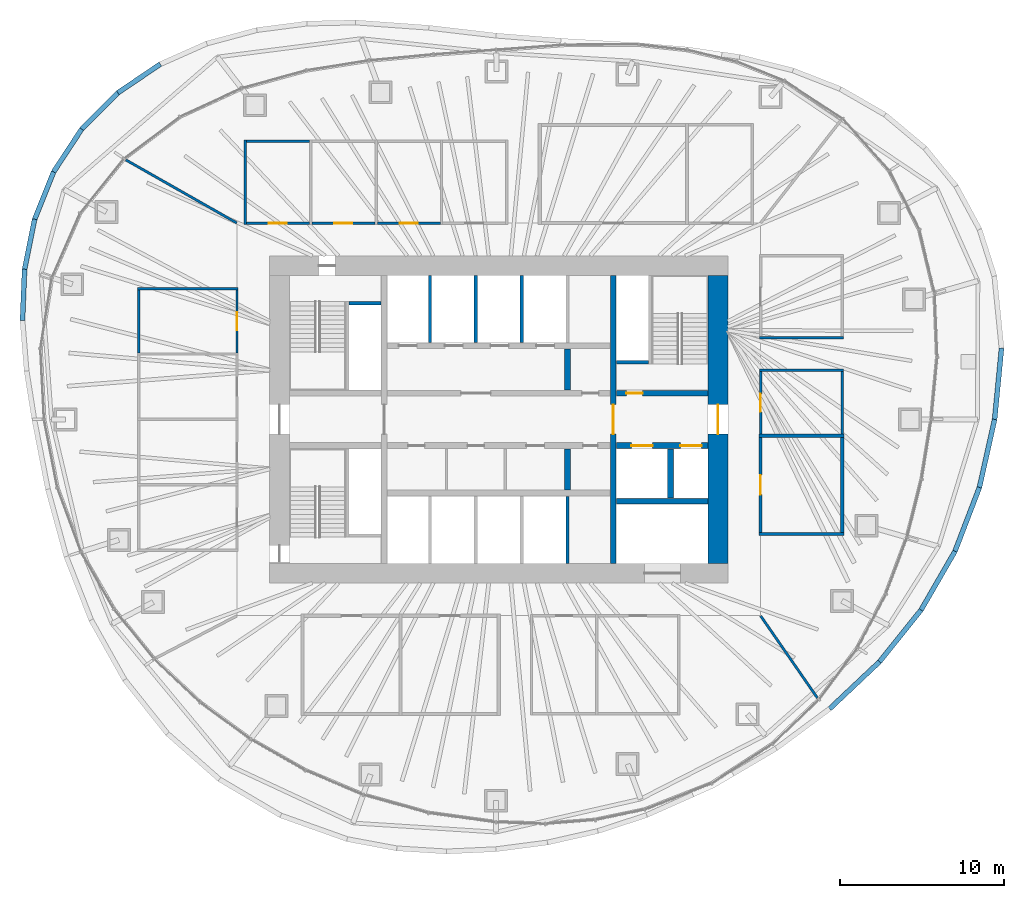
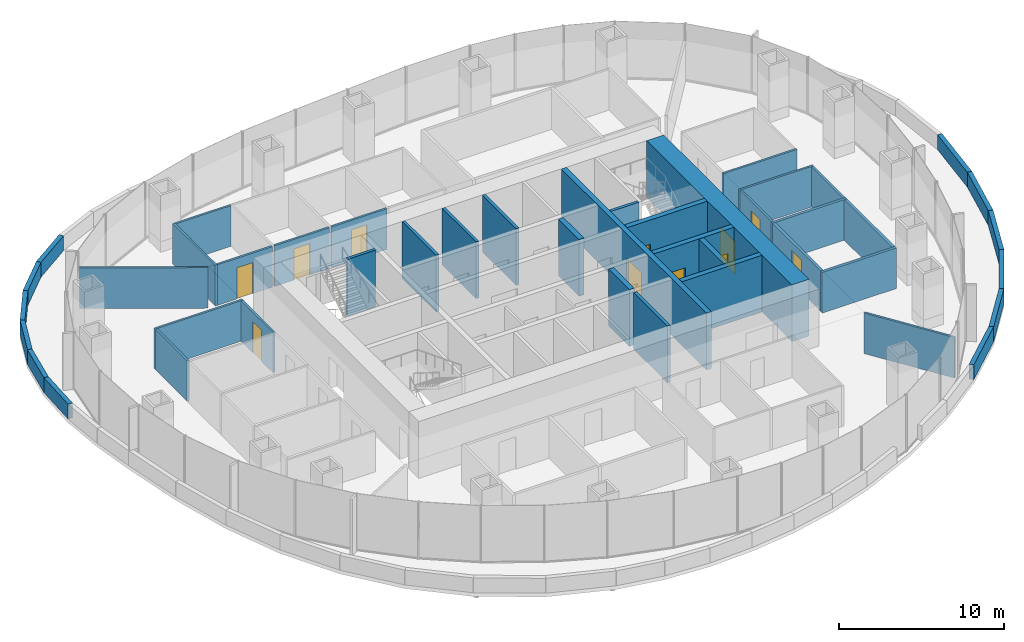
# One storey, part 10 of 12: 44 walls, 11 doors, 11 openings.
"""IFC4 building model written with IfcOpenShell, lengths in metres."""

from ifc_helpers import new_model, si_unit, direction, frame, frame_2d, origin, place, context, subcontext, project, spatial, rectangle, extrude, material, layer, layer_set, type_object, element, fill, save


model = new_model("IFC4")

# Units and contexts
model_context = context("Model", 3, precision=1e-05, world=origin(), true_north=direction((0.0, 1.0)))
body_context = subcontext(model_context, "Body", "Model", "MODEL_VIEW")
ifc_project = project(units=[si_unit("LENGTHUNIT", "METRE"), si_unit("AREAUNIT", "SQUARE_METRE"), si_unit("VOLUMEUNIT", "CUBIC_METRE"), si_unit("PLANEANGLEUNIT", "RADIAN"), si_unit("MASSUNIT", "GRAM", prefix="KILO")], contexts=[model_context])

# Site, building, storey
site_placement = place(None, origin())
site = spatial("IfcSite", under=ifc_project, at=site_placement, CompositionType="ELEMENT")
building_placement = place(site_placement, origin())
building = spatial("IfcBuilding", under=site, at=building_placement, Name="Ghaith Harvest Tower", CompositionType="ELEMENT")
storey_placement = place(building_placement, frame((0.0, 0.0, 194.800048828125)))
storey = spatial("IfcBuildingStorey", under=building, at=storey_placement, Name="L42", CompositionType="ELEMENT", Elevation=194.800048828125)

# Walls
ifc_material_1 = material(Name="Twin-stud gypsum board, acoustic", Category="gypsum")
ifc_layer_1 = layer(ifc_material_1, 0.199951171875)
ifc_layer_set_1 = layer_set([ifc_layer_1], Name="ACOUSTIC PARTITION 200")
wall_type_1 = type_object("IfcWallType", Name="ACOUSTIC PARTITION 200", PredefinedType="PARTITIONING", material=ifc_layer_set_1)
for number, where, z_axis, x_axis, name in (
    (1, (15.89990234375, -7.0, 0.0), (0.0, 0.0, 1.0), (1.0, 0.0, 0.0), "Partition L42 row E5 cross wall 1"),
    (2, (15.89990234375, -1.0, 0.0), (0.0, 0.0, 1.0), (1.0, 0.0, 0.0), "Partition L42 row E5 cross wall 2"),
):
    element("IfcWall", number, at=place(storey_placement, frame(where, z_axis=z_axis, x_axis=x_axis)), inside=storey, type_object=wall_type_1, Name=name, PredefinedType="PARTITIONING", context=body_context, shape_type="SweptSolid", body=[
        extrude(rectangle(XDim=5.2001953125, YDim=0.199951171875, at=frame_2d((2.60009765625, 0.0))), origin(), (0.0, 0.0, 1.0), 3.0),
    ])

# Wall, opening, door
wall_1_placement = place(storey_placement, frame((16.0, -6.89990234375, 0.0), z_axis=(0.0, 0.0, 1.0), x_axis=(0.0, 1.0, 0.0)))
wall_1 = element("IfcWall", 3, at=wall_1_placement, inside=storey, type_object=wall_type_1, Name="Partition L42-11", PredefinedType="PARTITIONING", context=body_context, shape_type="SweptSolid", body=[
    extrude(rectangle(XDim=5.7998046875, YDim=0.199951171875, at=frame_2d((2.89990234375, 0.0))), origin(), (0.0, 0.0, 1.0), 3.0),
])
opening_1_placement = place(wall_1_placement, frame((2.300048828125, 0.0, 0.0)))
opening_1 = element("IfcOpeningElement", 4, at=opening_1_placement, cuts=wall_1, Name="Opening 42-031", PredefinedType="OPENING", context=body_context, shape_type="SweptSolid", body=[
    extrude(rectangle(XDim=1.199951171875, YDim=2.39990234375, at=frame_2d((0.60009765625, 1.199951171875))), frame((0.0, 0.10986328125, 0.0), z_axis=(0.0, -1.0, 0.0), x_axis=(1.0, 0.0, 0.0)), (0.0, 0.0, 1.0), 0.219970703125),
])
ifc_material_2 = material(Name="Timber door", Category="wood")
door_type_1 = type_object("IfcDoorType", Name="D11 GLAZED 1200x2400", OperationType="SINGLE_SWING_LEFT", PredefinedType="DOOR", material=ifc_material_2)
door_1_placement = place(opening_1_placement, origin())
door_1 = element("IfcDoor", 5, at=door_1_placement, inside=storey, type_object=door_type_1, Name="Meeting room door", OperationType="SINGLE_SWING_LEFT", OverallHeight=2.39990234375, OverallWidth=1.199951171875, PredefinedType="DOOR", context=body_context, shape_type="SweptSolid", body=[
    extrude(rectangle(XDim=1.199951171875, YDim=2.39990234375, at=frame_2d((0.60009765625, 1.199951171875))), frame((0.0, 0.02490234375, 0.0), z_axis=(0.0, -1.0, 0.0), x_axis=(1.0, 0.0, 0.0)), (0.0, 0.0, 1.0), 0.050048828125),
])
fill(opening_1, door_1)

# Wall
wall_2_placement = place(storey_placement, frame((21.0, -6.89990234375, 0.0), z_axis=(0.0, 0.0, 1.0), x_axis=(0.0, 1.0, 0.0)))
element("IfcWall", 6, at=wall_2_placement, inside=storey, type_object=wall_type_1, Name="Partition L42-11", PredefinedType="PARTITIONING", context=body_context, shape_type="SweptSolid", body=[
    extrude(rectangle(XDim=5.7998046875, YDim=0.199951171875, at=frame_2d((2.89990234375, 0.0))), origin(), (0.0, 0.0, 1.0), 3.0),
])

# Wall, opening, door
ifc_material_3 = material(Name="Concrete C60/75", Category="concrete")
ifc_layer_2 = layer(ifc_material_3, 1.199951171875)
ifc_layer_set_2 = layer_set([ifc_layer_2], Name="CORE WALL CW1200 C60")
wall_type_2 = type_object("IfcWallType", Name="CORE WALL CW1200 C60", PredefinedType="SHEAR", material=ifc_layer_set_2)
wall_3_placement = place(storey_placement, frame((13.39990234375, -8.800048828125, 0.0), z_axis=(0.0, 0.0, 1.0), x_axis=(0.0, 1.0, 0.0)))
wall_3 = element("IfcWall", 7, at=wall_3_placement, inside=storey, type_object=wall_type_2, Name="Core wall E L42", PredefinedType="SHEAR", context=body_context, shape_type="SweptSolid", body=[
    extrude(rectangle(XDim=17.60009765625, YDim=1.199951171875, at=frame_2d((8.800048828125, 0.0))), origin(), (0.0, 0.0, 1.0), 4.199951171875),
])
opening_2_placement = place(wall_3_placement, frame((7.89990234375, 0.0, 0.0)))
opening_2 = element("IfcOpeningElement", 8, at=opening_2_placement, cuts=wall_3, Name="Opening 42-002", PredefinedType="OPENING", context=body_context, shape_type="SweptSolid", body=[
    extrude(rectangle(XDim=1.800048828125, YDim=2.39990234375, at=frame_2d((0.89990234375, 1.199951171875))), frame((0.0, 0.60986328125, 0.0), z_axis=(0.0, -1.0, 0.0), x_axis=(1.0, 0.0, 0.0)), (0.0, 0.0, 1.0), 1.219970703125),
])
ifc_material_4 = material(Name="Steel fire door", Category="steel")
door_type_2 = type_object("IfcDoorType", Name="D4 FD90 PAIR 1800x2400", OperationType="DOUBLE_DOOR_SINGLE_SWING", PredefinedType="DOOR", material=ifc_material_4)
door_2_placement = place(opening_2_placement, origin())
door_2 = element("IfcDoor", 9, at=door_2_placement, inside=storey, type_object=door_type_2, Name="Fire-fighting lobby doors", OperationType="DOUBLE_DOOR_SINGLE_SWING", OverallHeight=2.39990234375, OverallWidth=1.800048828125, PredefinedType="DOOR", context=body_context, shape_type="SweptSolid", body=[
    extrude(rectangle(XDim=1.800048828125, YDim=2.39990234375, at=frame_2d((0.89990234375, 1.199951171875))), frame((0.0, 0.02490234375, 0.0), z_axis=(0.0, -1.0, 0.0), x_axis=(1.0, 0.0, 0.0)), (0.0, 0.0, 1.0), 0.050048828125),
])
fill(opening_2, door_2)

# Walls
ifc_material_5 = material(Name="Concrete blockwork, 2-hour", Category="masonry")
ifc_layer_3 = layer(ifc_material_5, 0.199951171875)
ifc_layer_set_3 = layer_set([ifc_layer_3], Name="LIFT SHAFT WALL 200")
wall_type_3 = type_object("IfcWallType", Name="LIFT SHAFT WALL 200", PredefinedType="PARTITIONING", material=ifc_layer_set_3)
for number, where, z_axis, x_axis, name in (
    (10, (-4.199951171875, 4.699951171875, 0.0), (0.0, 0.0, 1.0), (0.0, 1.0, 0.0), "Lift shaft wall L42"),
    (11, (-1.39990234375, 4.699951171875, 0.0), (0.0, 0.0, 1.0), (0.0, 1.0, 0.0), "Lift shaft wall L42"),
    (12, (1.39990234375, 4.699951171875, 0.0), (0.0, 0.0, 1.0), (0.0, 1.0, 0.0), "Lift shaft wall L42"),
    (13, (4.199951171875, -4.699951171875, 0.0), (0.0, 0.0, 1.0), (0.0, -1.0, 0.0), "Lift shaft wall L42"),
):
    element("IfcWall", number, at=place(storey_placement, frame(where, z_axis=z_axis, x_axis=x_axis)), inside=storey, type_object=wall_type_3, Name=name, PredefinedType="PARTITIONING", context=body_context, shape_type="SweptSolid", body=[
        extrude(rectangle(XDim=4.10009765625, YDim=0.199951171875, at=frame_2d((2.050048828125, 0.0))), origin(), (0.0, 0.0, 1.0), 4.199951171875),
    ])
ifc_material_6 = material(Name="Concrete C40/50", Category="concrete")
ifc_layer_4 = layer(ifc_material_6, 0.300048828125)
ifc_layer_set_4 = layer_set([ifc_layer_4], Name="PARAPET 300")
wall_type_4 = type_object("IfcWallType", Name="PARAPET 300", PredefinedType="PARAPET", material=ifc_layer_set_4)
wall_4_placement = place(storey_placement, frame((30.308837890625, 0.0, 0.0), z_axis=(0.0, 0.0, 1.0), x_axis=(0.096650739281, 0.995318358414, 0.0)))
element("IfcWall", 14, at=wall_4_placement, inside=storey, type_object=wall_type_4, Name="Parapet 01.1 L42", PredefinedType="PARAPET", context=body_context, shape_type="SweptSolid", body=[
    extrude(rectangle(XDim=4.37255859375, YDim=0.300048828125, at=frame_2d((2.186279296875, 0.0))), origin(), (0.0, 0.0, 1.0), 1.099853515625),
])
wall_5_placement = place(storey_placement, frame((-20.689208984375, 21.71630859375, 0.0), z_axis=(0.0, 0.0, 1.0), x_axis=(-0.828713081968, -0.559673679723, 0.0)))
element("IfcWall", 15, at=wall_5_placement, inside=storey, type_object=wall_type_4, Name="Parapet 08.2 L42", PredefinedType="PARAPET", context=body_context, shape_type="SweptSolid", body=[
    extrude(rectangle(XDim=3.131591796875, YDim=0.300048828125, at=frame_2d((1.56591796875, 0.0))), origin(), (0.0, 0.0, 1.0), 1.099853515625),
])
wall_6_placement = place(storey_placement, frame((-23.284423828125, 19.963623046875, 0.0), z_axis=(0.0, 0.0, 1.0), x_axis=(-0.705392023613, -0.708817390464, 0.0)))
element("IfcWall", 16, at=wall_6_placement, inside=storey, type_object=wall_type_4, Name="Parapet 08.3 L42", PredefinedType="PARAPET", context=body_context, shape_type="SweptSolid", body=[
    extrude(rectangle(XDim=3.135986328125, YDim=0.300048828125, at=frame_2d((1.56787109375, 0.0))), origin(), (0.0, 0.0, 1.0), 1.099853515625),
])
wall_7_placement = place(storey_placement, frame((-25.49658203125, 17.74072265625, 0.0), z_axis=(0.0, 0.0, 1.0), x_axis=(-0.548381186264, -0.836228482265, 0.0)))
element("IfcWall", 17, at=wall_7_placement, inside=storey, type_object=wall_type_4, Name="Parapet 09.1 L42", PredefinedType="PARAPET", context=body_context, shape_type="SweptSolid", body=[
    extrude(rectangle(XDim=3.11962890625, YDim=0.300048828125, at=frame_2d((1.559814453125, 0.0))), origin(), (0.0, 0.0, 1.0), 1.099853515625),
])
wall_8_placement = place(storey_placement, frame((-27.207275390625, 15.132080078125, 0.0), z_axis=(0.0, 0.0, 1.0), x_axis=(-0.372389026158, -0.928076728076, 0.0)))
element("IfcWall", 18, at=wall_8_placement, inside=storey, type_object=wall_type_4, Name="Parapet 09.2 L42", PredefinedType="PARAPET", context=body_context, shape_type="SweptSolid", body=[
    extrude(rectangle(XDim=3.119384765625, YDim=0.300048828125, at=frame_2d((1.5595703125, 0.0))), origin(), (0.0, 0.0, 1.0), 1.099853515625),
])
wall_9_placement = place(storey_placement, frame((-28.368896484375, 12.237060546875, 0.0), z_axis=(0.0, 0.0, 1.0), x_axis=(-0.19739792897, -0.980323445419, 0.0)))
element("IfcWall", 19, at=wall_9_placement, inside=storey, type_object=wall_type_4, Name="Parapet 09.3 L42", PredefinedType="PARAPET", context=body_context, shape_type="SweptSolid", body=[
    extrude(rectangle(XDim=3.113037109375, YDim=0.300048828125, at=frame_2d((1.556640625, 0.0))), origin(), (0.0, 0.0, 1.0), 1.099853515625),
])
wall_10_placement = place(storey_placement, frame((-28.9833984375, 9.185302734375, 0.0), z_axis=(0.0, 0.0, 1.0), x_axis=(-0.041353010634, -0.9991445984, 0.0)))
element("IfcWall", 20, at=wall_10_placement, inside=storey, type_object=wall_type_4, Name="Parapet 10.1 L42", PredefinedType="PARAPET", context=body_context, shape_type="SweptSolid", body=[
    extrude(rectangle(XDim=3.146728515625, YDim=0.300048828125, at=frame_2d((1.5732421875, 0.0))), origin(), (0.0, 0.0, 1.0), 1.099853515625),
])
wall_11_placement = place(storey_placement, frame((20.226318359375, -17.68603515625, 0.0), z_axis=(0.0, 0.0, 1.0), x_axis=(0.727436462823, 0.686175045127, 0.0)))
element("IfcWall", 21, at=wall_11_placement, inside=storey, type_object=wall_type_4, Name="Parapet 18.2 L42", PredefinedType="PARAPET", context=body_context, shape_type="SweptSolid", body=[
    extrude(rectangle(XDim=4.189208984375, YDim=0.300048828125, at=frame_2d((2.0947265625, 0.0))), origin(), (0.0, 0.0, 1.0), 1.099853515625),
])
wall_12_placement = place(storey_placement, frame((23.273681640625, -14.8115234375, 0.0), z_axis=(0.0, 0.0, 1.0), x_axis=(0.626200188056, 0.779662314389, 0.0)))
element("IfcWall", 22, at=wall_12_placement, inside=storey, type_object=wall_type_4, Name="Parapet 19.1 L42", PredefinedType="PARAPET", context=body_context, shape_type="SweptSolid", body=[
    extrude(rectangle(XDim=4.052001953125, YDim=0.300048828125, at=frame_2d((2.02587890625, 0.0))), origin(), (0.0, 0.0, 1.0), 1.099853515625),
])
wall_13_placement = place(storey_placement, frame((25.81103515625, -11.65234375, 0.0), z_axis=(0.0, 0.0, 1.0), x_axis=(0.500391312402, 0.865799361557, 0.0)))
element("IfcWall", 23, at=wall_13_placement, inside=storey, type_object=wall_type_4, Name="Parapet 19.2 L42", PredefinedType="PARAPET", context=body_context, shape_type="SweptSolid", body=[
    extrude(rectangle(XDim=4.149169921875, YDim=0.300048828125, at=frame_2d((2.07470703125, 0.0))), origin(), (0.0, 0.0, 1.0), 1.099853515625),
])
wall_14_placement = place(storey_placement, frame((27.88720703125, -8.06005859375, 0.0), z_axis=(0.0, 0.0, 1.0), x_axis=(0.357222992544, 0.934019129139, 0.0)))
element("IfcWall", 24, at=wall_14_placement, inside=storey, type_object=wall_type_4, Name="Parapet 20.1 L42", PredefinedType="PARAPET", context=body_context, shape_type="SweptSolid", body=[
    extrude(rectangle(XDim=4.175048828125, YDim=0.300048828125, at=frame_2d((2.08740234375, 0.0))), origin(), (0.0, 0.0, 1.0), 1.099853515625),
])
wall_15_placement = place(storey_placement, frame((29.378662109375, -4.160400390625, 0.0), z_axis=(0.0, 0.0, 1.0), x_axis=(0.2181915228, 0.975905968512, 0.0)))
element("IfcWall", 25, at=wall_15_placement, inside=storey, type_object=wall_type_4, Name="Parapet 20.2 L42", PredefinedType="PARAPET", context=body_context, shape_type="SweptSolid", body=[
    extrude(rectangle(XDim=4.26318359375, YDim=0.300048828125, at=frame_2d((2.131591796875, 0.0))), origin(), (0.0, 0.0, 1.0), 1.099853515625),
])
ifc_material_7 = material(Name="Gypsum board on steel studs", Category="steel")
ifc_layer_5 = layer(ifc_material_7, 0.14990234375)
ifc_layer_set_5 = layer_set([ifc_layer_5], Name="PARTITION 150")
wall_type_5 = type_object("IfcWallType", Name="PARTITION 150", PredefinedType="PARTITIONING", material=ifc_layer_set_5)
wall_16_placement = place(storey_placement, frame((-15.5, 11.925048828125, 0.0), z_axis=(0.0, 0.0, 1.0), x_axis=(0.0, 1.0, 0.0)))
element("IfcWall", 26, at=wall_16_placement, inside=storey, type_object=wall_type_5, Name="Partition L42 row N1 cross wall 1", PredefinedType="PARTITIONING", context=body_context, shape_type="SweptSolid", body=[
    extrude(rectangle(XDim=5.14990234375, YDim=0.14990234375, at=frame_2d((2.574951171875, 0.0))), origin(), (0.0, 0.0, 1.0), 3.0),
])

# Wall, opening, door
wall_17_placement = place(storey_placement, frame((-15.425048828125, 12.0, 0.0), z_axis=(0.0, 0.0, 1.0), x_axis=(1.0, 0.0, 0.0)))
wall_17 = element("IfcWall", 27, at=wall_17_placement, inside=storey, type_object=wall_type_5, Name="Partition L42-01", PredefinedType="PARTITIONING", context=body_context, shape_type="SweptSolid", body=[
    extrude(rectangle(XDim=3.85009765625, YDim=0.14990234375, at=frame_2d((1.925048828125, 0.0))), origin(), (0.0, 0.0, 1.0), 3.0),
])
opening_3_placement = place(wall_17_placement, frame((1.375, 0.0, 0.0)))
opening_3 = element("IfcOpeningElement", 28, at=opening_3_placement, cuts=wall_17, Name="Opening 42-021", PredefinedType="OPENING", context=body_context, shape_type="SweptSolid", body=[
    extrude(rectangle(XDim=1.10009765625, YDim=2.300048828125, at=frame_2d((0.550048828125, 1.14990234375))), frame((0.0, 0.0849609375, 0.0), z_axis=(0.0, -1.0, 0.0), x_axis=(1.0, 0.0, 0.0)), (0.0, 0.0, 1.0), 0.169921875),
])
ifc_material_8 = material(Name="Timber-framed glazed door", Category="wood")
door_type_3 = type_object("IfcDoorType", Name="D12 GLAZED OFFICE 1100x2300", OperationType="SINGLE_SWING_LEFT", PredefinedType="DOOR", material=ifc_material_8)
door_3_placement = place(opening_3_placement, origin())
door_3 = element("IfcDoor", 29, at=door_3_placement, inside=storey, type_object=door_type_3, Name="Office door", OperationType="SINGLE_SWING_LEFT", OverallHeight=2.300048828125, OverallWidth=1.10009765625, PredefinedType="DOOR", context=body_context, shape_type="SweptSolid", body=[
    extrude(rectangle(XDim=1.10009765625, YDim=2.300048828125, at=frame_2d((0.550048828125, 1.14990234375))), frame((0.0, 0.02490234375, 0.0), z_axis=(0.0, -1.0, 0.0), x_axis=(1.0, 0.0, 0.0)), (0.0, 0.0, 1.0), 0.050048828125),
])
fill(opening_3, door_3)

# Wall
wall_18_placement = place(storey_placement, frame((-15.425048828125, 17.0, 0.0), z_axis=(0.0, 0.0, 1.0), x_axis=(1.0, 0.0, 0.0)))
element("IfcWall", 30, at=wall_18_placement, inside=storey, type_object=wall_type_5, Name="Partition L42-01", PredefinedType="PARTITIONING", context=body_context, shape_type="SweptSolid", body=[
    extrude(rectangle(XDim=3.85009765625, YDim=0.14990234375, at=frame_2d((1.925048828125, 0.0))), origin(), (0.0, 0.0, 1.0), 3.0),
])

# Wall, opening, door
wall_19_placement = place(storey_placement, frame((-11.425048828125, 12.0, 0.0), z_axis=(0.0, 0.0, 1.0), x_axis=(1.0, 0.0, 0.0)))
wall_19 = element("IfcWall", 31, at=wall_19_placement, inside=storey, type_object=wall_type_5, Name="Partition L42-02", PredefinedType="PARTITIONING", context=body_context, shape_type="SweptSolid", body=[
    extrude(rectangle(XDim=3.85009765625, YDim=0.14990234375, at=frame_2d((1.925048828125, 0.0))), origin(), (0.0, 0.0, 1.0), 3.0),
])
opening_4_placement = place(wall_19_placement, frame((1.375, 0.0, 0.0)))
opening_4 = element("IfcOpeningElement", 32, at=opening_4_placement, cuts=wall_19, Name="Opening 42-022", PredefinedType="OPENING", context=body_context, shape_type="SweptSolid", body=[
    extrude(rectangle(XDim=1.10009765625, YDim=2.300048828125, at=frame_2d((0.550048828125, 1.14990234375))), frame((0.0, 0.0849609375, 0.0), z_axis=(0.0, -1.0, 0.0), x_axis=(1.0, 0.0, 0.0)), (0.0, 0.0, 1.0), 0.169921875),
])
door_4_placement = place(opening_4_placement, origin())
door_4 = element("IfcDoor", 33, at=door_4_placement, inside=storey, type_object=door_type_3, Name="Office door", OperationType="SINGLE_SWING_LEFT", OverallHeight=2.300048828125, OverallWidth=1.10009765625, PredefinedType="DOOR", context=body_context, shape_type="SweptSolid", body=[
    extrude(rectangle(XDim=1.10009765625, YDim=2.300048828125, at=frame_2d((0.550048828125, 1.14990234375))), frame((0.0, 0.02490234375, 0.0), z_axis=(0.0, -1.0, 0.0), x_axis=(1.0, 0.0, 0.0)), (0.0, 0.0, 1.0), 0.050048828125),
])
fill(opening_4, door_4)

wall_20_placement = place(storey_placement, frame((-7.425048828125, 12.0, 0.0), z_axis=(0.0, 0.0, 1.0), x_axis=(1.0, 0.0, 0.0)))
wall_20 = element("IfcWall", 34, at=wall_20_placement, inside=storey, type_object=wall_type_5, Name="Partition L42-03", PredefinedType="PARTITIONING", context=body_context, shape_type="SweptSolid", body=[
    extrude(rectangle(XDim=3.85009765625, YDim=0.14990234375, at=frame_2d((1.925048828125, 0.0))), origin(), (0.0, 0.0, 1.0), 3.0),
])
opening_5_placement = place(wall_20_placement, frame((1.375, 0.0, 0.0)))
opening_5 = element("IfcOpeningElement", 35, at=opening_5_placement, cuts=wall_20, Name="Opening 42-023", PredefinedType="OPENING", context=body_context, shape_type="SweptSolid", body=[
    extrude(rectangle(XDim=1.10009765625, YDim=2.300048828125, at=frame_2d((0.550048828125, 1.14990234375))), frame((0.0, 0.0849609375, 0.0), z_axis=(0.0, -1.0, 0.0), x_axis=(1.0, 0.0, 0.0)), (0.0, 0.0, 1.0), 0.169921875),
])
door_5_placement = place(opening_5_placement, origin())
door_5 = element("IfcDoor", 36, at=door_5_placement, inside=storey, type_object=door_type_3, Name="Office door", OperationType="SINGLE_SWING_LEFT", OverallHeight=2.300048828125, OverallWidth=1.10009765625, PredefinedType="DOOR", context=body_context, shape_type="SweptSolid", body=[
    extrude(rectangle(XDim=1.10009765625, YDim=2.300048828125, at=frame_2d((0.550048828125, 1.14990234375))), frame((0.0, 0.02490234375, 0.0), z_axis=(0.0, -1.0, 0.0), x_axis=(1.0, 0.0, 0.0)), (0.0, 0.0, 1.0), 0.050048828125),
])
fill(opening_5, door_5)

# Wall
wall_21_placement = place(storey_placement, frame((15.925048828125, 3.0, 0.0), z_axis=(0.0, 0.0, 1.0), x_axis=(1.0, 0.0, 0.0)))
element("IfcWall", 37, at=wall_21_placement, inside=storey, type_object=wall_type_5, Name="Partition L42 row E5 cross wall 3", PredefinedType="PARTITIONING", context=body_context, shape_type="SweptSolid", body=[
    extrude(rectangle(XDim=5.14990234375, YDim=0.14990234375, at=frame_2d((2.574951171875, 0.0))), origin(), (0.0, 0.0, 1.0), 3.0),
])

# Wall, opening, door
wall_22_placement = place(storey_placement, frame((16.0, -0.89990234375, 0.0), z_axis=(0.0, 0.0, 1.0), x_axis=(0.0, 1.0, 0.0)))
wall_22 = element("IfcWall", 38, at=wall_22_placement, inside=storey, type_object=wall_type_5, Name="Partition L42-12", PredefinedType="PARTITIONING", context=body_context, shape_type="SweptSolid", body=[
    extrude(rectangle(XDim=3.824951171875, YDim=0.14990234375, at=frame_2d((1.91259765625, 0.0))), origin(), (0.0, 0.0, 1.0), 3.0),
])
opening_6_placement = place(wall_22_placement, frame((1.362548828125, 0.0, 0.0)))
opening_6 = element("IfcOpeningElement", 39, at=opening_6_placement, cuts=wall_22, Name="Opening 42-032", PredefinedType="OPENING", context=body_context, shape_type="SweptSolid", body=[
    extrude(rectangle(XDim=1.10009765625, YDim=2.300048828125, at=frame_2d((0.550048828125, 1.14990234375))), frame((0.0, 0.0849609375, 0.0), z_axis=(0.0, -1.0, 0.0), x_axis=(1.0, 0.0, 0.0)), (0.0, 0.0, 1.0), 0.169921875),
])
door_6_placement = place(opening_6_placement, origin())
door_6 = element("IfcDoor", 40, at=door_6_placement, inside=storey, type_object=door_type_3, Name="Office door", OperationType="SINGLE_SWING_LEFT", OverallHeight=2.300048828125, OverallWidth=1.10009765625, PredefinedType="DOOR", context=body_context, shape_type="SweptSolid", body=[
    extrude(rectangle(XDim=1.10009765625, YDim=2.300048828125, at=frame_2d((0.550048828125, 1.14990234375))), frame((0.0, 0.02490234375, 0.0), z_axis=(0.0, -1.0, 0.0), x_axis=(1.0, 0.0, 0.0)), (0.0, 0.0, 1.0), 0.050048828125),
])
fill(opening_6, door_6)

# Walls
wall_23_placement = place(storey_placement, frame((21.0, -0.89990234375, 0.0), z_axis=(0.0, 0.0, 1.0), x_axis=(0.0, 1.0, 0.0)))
element("IfcWall", 41, at=wall_23_placement, inside=storey, type_object=wall_type_5, Name="Partition L42-12", PredefinedType="PARTITIONING", context=body_context, shape_type="SweptSolid", body=[
    extrude(rectangle(XDim=3.824951171875, YDim=0.14990234375, at=frame_2d((1.91259765625, 0.0))), origin(), (0.0, 0.0, 1.0), 3.0),
])
wall_24_placement = place(storey_placement, frame((-15.925048828125, 8.0, 0.0), z_axis=(0.0, 0.0, 1.0), x_axis=(-1.0, 0.0, 0.0)))
element("IfcWall", 42, at=wall_24_placement, inside=storey, type_object=wall_type_5, Name="Partition L42 row W6 cross wall 5", PredefinedType="PARTITIONING", context=body_context, shape_type="SweptSolid", body=[
    extrude(rectangle(XDim=6.14990234375, YDim=0.14990234375, at=frame_2d((3.074951171875, 0.0))), origin(), (0.0, 0.0, 1.0), 3.0),
])

# Wall, opening, door
wall_25_placement = place(storey_placement, frame((-16.0, 4.074951171875, 0.0), z_axis=(0.0, 0.0, 1.0), x_axis=(0.0, 1.0, 0.0)))
wall_25 = element("IfcWall", 43, at=wall_25_placement, inside=storey, type_object=wall_type_5, Name="Partition L42-16", PredefinedType="PARTITIONING", context=body_context, shape_type="SweptSolid", body=[
    extrude(rectangle(XDim=3.85009765625, YDim=0.14990234375, at=frame_2d((1.925048828125, 0.0))), origin(), (0.0, 0.0, 1.0), 3.0),
])
opening_7_placement = place(wall_25_placement, frame((1.375, 0.0, 0.0)))
opening_7 = element("IfcOpeningElement", 44, at=opening_7_placement, cuts=wall_25, Name="Opening 42-036", PredefinedType="OPENING", context=body_context, shape_type="SweptSolid", body=[
    extrude(rectangle(XDim=1.10009765625, YDim=2.300048828125, at=frame_2d((0.550048828125, 1.14990234375))), frame((0.0, 0.0849609375, 0.0), z_axis=(0.0, -1.0, 0.0), x_axis=(1.0, 0.0, 0.0)), (0.0, 0.0, 1.0), 0.169921875),
])
door_7_placement = place(opening_7_placement, origin())
door_7 = element("IfcDoor", 45, at=door_7_placement, inside=storey, type_object=door_type_3, Name="Office door", OperationType="SINGLE_SWING_LEFT", OverallHeight=2.300048828125, OverallWidth=1.10009765625, PredefinedType="DOOR", context=body_context, shape_type="SweptSolid", body=[
    extrude(rectangle(XDim=1.10009765625, YDim=2.300048828125, at=frame_2d((0.550048828125, 1.14990234375))), frame((0.0, 0.02490234375, 0.0), z_axis=(0.0, -1.0, 0.0), x_axis=(1.0, 0.0, 0.0)), (0.0, 0.0, 1.0), 0.050048828125),
])
fill(opening_7, door_7)

# Walls
wall_26_placement = place(storey_placement, frame((-22.0, 4.074951171875, 0.0), z_axis=(0.0, 0.0, 1.0), x_axis=(0.0, 1.0, 0.0)))
element("IfcWall", 46, at=wall_26_placement, inside=storey, type_object=wall_type_5, Name="Partition L42-16", PredefinedType="PARTITIONING", context=body_context, shape_type="SweptSolid", body=[
    extrude(rectangle(XDim=3.85009765625, YDim=0.14990234375, at=frame_2d((1.925048828125, 0.0))), origin(), (0.0, 0.0, 1.0), 3.0),
])
wall_27_placement = place(storey_placement, frame((15.925048828125, 5.0, 0.0), z_axis=(0.0, 0.0, 1.0), x_axis=(1.0, 0.0, 0.0)))
element("IfcWall", 47, at=wall_27_placement, inside=storey, type_object=wall_type_5, Name="Partition L42 row E7 cross wall 1", PredefinedType="PARTITIONING", context=body_context, shape_type="SweptSolid", body=[
    extrude(rectangle(XDim=5.14990234375, YDim=0.14990234375, at=frame_2d((2.574951171875, 0.0))), origin(), (0.0, 0.0, 1.0), 3.0),
])
wall_28_placement = place(storey_placement, frame((-16.017333984375, 12.010009765625, 0.0), z_axis=(0.0, 0.0, 1.0), x_axis=(-0.869357432803, 0.494183826151, 0.0)))
element("IfcWall", 48, at=wall_28_placement, inside=storey, type_object=wall_type_5, Name="Partition L42 zone division", PredefinedType="PARTITIONING", context=body_context, shape_type="SweptSolid", body=[
    extrude(rectangle(XDim=7.791259765625, YDim=0.14990234375, at=frame_2d((3.8955078125, 0.0))), origin(), (0.0, 0.0, 1.0), 3.0),
])
wall_29_placement = place(storey_placement, frame((16.011474609375, -12.016357421875, 0.0), z_axis=(0.0, 0.0, 1.0), x_axis=(0.568863489071, -0.822431961199, 0.0)))
element("IfcWall", 49, at=wall_29_placement, inside=storey, type_object=wall_type_5, Name="Partition L42 zone division", PredefinedType="PARTITIONING", context=body_context, shape_type="SweptSolid", body=[
    extrude(rectangle(XDim=6.0830078125, YDim=0.14990234375, at=frame_2d((3.04150390625, 0.0))), origin(), (0.0, 0.0, 1.0), 3.0),
])

# Wall, opening, door
ifc_material_9 = material(Name="Concrete C60/75", Category="concrete")
ifc_layer_6 = layer(ifc_material_9, 0.35009765625)
ifc_layer_set_6 = layer_set([ifc_layer_6], Name="SHAFT WALL 350")
wall_type_6 = type_object("IfcWallType", Name="SHAFT WALL 350", PredefinedType="SHEAR", material=ifc_layer_set_6)
wall_30_placement = place(storey_placement, frame((7.0, -8.800048828125, 0.0), z_axis=(0.0, 0.0, 1.0), x_axis=(0.0, 1.0, 0.0)))
wall_30 = element("IfcWall", 50, at=wall_30_placement, inside=storey, type_object=wall_type_6, Name="Shaft wall W7E L42", PredefinedType="SHEAR", context=body_context, shape_type="SweptSolid", body=[
    extrude(rectangle(XDim=17.60009765625, YDim=0.35009765625, at=frame_2d((8.800048828125, 0.0))), origin(), (0.0, 0.0, 1.0), 4.199951171875),
])
opening_8_placement = place(wall_30_placement, frame((7.89990234375, 0.0, 0.0)))
opening_8 = element("IfcOpeningElement", 51, at=opening_8_placement, cuts=wall_30, Name="Opening 42-004", PredefinedType="OPENING", context=body_context, shape_type="SweptSolid", body=[
    extrude(rectangle(XDim=1.800048828125, YDim=2.39990234375, at=frame_2d((0.89990234375, 1.199951171875))), frame((0.0, 0.18505859375, 0.0), z_axis=(0.0, -1.0, 0.0), x_axis=(1.0, 0.0, 0.0)), (0.0, 0.0, 1.0), 0.3701171875),
])
door_8_placement = place(opening_8_placement, origin())
door_8 = element("IfcDoor", 52, at=door_8_placement, inside=storey, type_object=door_type_2, Name="Lift lobby doors, east", OperationType="DOUBLE_DOOR_SINGLE_SWING", OverallHeight=2.39990234375, OverallWidth=1.800048828125, PredefinedType="DOOR", context=body_context, shape_type="SweptSolid", body=[
    extrude(rectangle(XDim=1.800048828125, YDim=2.39990234375, at=frame_2d((0.89990234375, 1.199951171875))), frame((0.0, 0.02490234375, 0.0), z_axis=(0.0, -1.0, 0.0), x_axis=(1.0, 0.0, 0.0)), (0.0, 0.0, 1.0), 0.050048828125),
])
fill(opening_8, door_8)

wall_31_placement = place(storey_placement, frame((7.199951171875, 1.60009765625, 0.0), z_axis=(0.0, 0.0, 1.0), x_axis=(1.0, 0.0, 0.0)))
wall_31 = element("IfcWall", 53, at=wall_31_placement, inside=storey, type_object=wall_type_6, Name="Shaft wall EN L42", PredefinedType="SHEAR", context=body_context, shape_type="SweptSolid", body=[
    extrude(rectangle(XDim=5.60009765625, YDim=0.35009765625, at=frame_2d((2.800048828125, 0.0))), origin(), (0.0, 0.0, 1.0), 4.199951171875),
])
opening_9_placement = place(wall_31_placement, frame((0.60009765625, 0.0, 0.0)))
opening_9 = element("IfcOpeningElement", 54, at=opening_9_placement, cuts=wall_31, Name="Opening 42-007", PredefinedType="OPENING", context=body_context, shape_type="SweptSolid", body=[
    extrude(rectangle(XDim=1.0, YDim=2.39990234375, at=frame_2d((0.5, 1.199951171875))), frame((0.0, 0.18505859375, 0.0), z_axis=(0.0, -1.0, 0.0), x_axis=(1.0, 0.0, 0.0)), (0.0, 0.0, 1.0), 0.3701171875),
])
ifc_material_10 = material(Name="Steel fire door", Category="steel")
door_type_4 = type_object("IfcDoorType", Name="D3 FD90 1000x2400", OperationType="SINGLE_SWING_LEFT", PredefinedType="DOOR", material=ifc_material_10)
door_9_placement = place(opening_9_placement, origin())
door_9 = element("IfcDoor", 55, at=door_9_placement, inside=storey, type_object=door_type_4, Name="Stair ST2 door", OperationType="SINGLE_SWING_LEFT", OverallHeight=2.39990234375, OverallWidth=1.0, PredefinedType="DOOR", context=body_context, shape_type="SweptSolid", body=[
    extrude(rectangle(XDim=1.0, YDim=2.39990234375, at=frame_2d((0.5, 1.199951171875))), frame((0.0, 0.02490234375, 0.0), z_axis=(0.0, -1.0, 0.0), x_axis=(1.0, 0.0, 0.0)), (0.0, 0.0, 1.0), 0.050048828125),
])
fill(opening_9, door_9)

# Wall, openings, doors
wall_32_placement = place(storey_placement, frame((7.199951171875, -1.60009765625, 0.0), z_axis=(0.0, 0.0, 1.0), x_axis=(1.0, 0.0, 0.0)))
wall_32 = element("IfcWall", 56, at=wall_32_placement, inside=storey, type_object=wall_type_6, Name="Shaft wall ES L42", PredefinedType="SHEAR", context=body_context, shape_type="SweptSolid", body=[
    extrude(rectangle(XDim=5.60009765625, YDim=0.35009765625, at=frame_2d((2.800048828125, 0.0))), origin(), (0.0, 0.0, 1.0), 4.199951171875),
])
opening_10_placement = place(wall_32_placement, frame((0.89990234375, 0.0, 0.0)))
opening_10 = element("IfcOpeningElement", 57, at=opening_10_placement, cuts=wall_32, Name="Opening 42-018", PredefinedType="OPENING", context=body_context, shape_type="SweptSolid", body=[
    extrude(rectangle(XDim=1.300048828125, YDim=2.39990234375, at=frame_2d((0.64990234375, 1.199951171875))), frame((0.0, 0.18505859375, 0.0), z_axis=(0.0, -1.0, 0.0), x_axis=(1.0, 0.0, 0.0)), (0.0, 0.0, 1.0), 0.3701171875),
])
opening_11_placement = place(wall_32_placement, frame((3.89990234375, 0.0, 0.0)))
opening_11 = element("IfcOpeningElement", 58, at=opening_11_placement, cuts=wall_32, Name="Opening 42-019", PredefinedType="OPENING", context=body_context, shape_type="SweptSolid", body=[
    extrude(rectangle(XDim=1.300048828125, YDim=2.39990234375, at=frame_2d((0.64990234375, 1.199951171875))), frame((0.0, 0.18505859375, 0.0), z_axis=(0.0, -1.0, 0.0), x_axis=(1.0, 0.0, 0.0)), (0.0, 0.0, 1.0), 0.3701171875),
])
ifc_material_11 = material(Name="Steel fire door", Category="steel")
door_type_5 = type_object("IfcDoorType", Name="LD2 LANDING 1300x2400", OperationType="DOUBLE_DOOR_SLIDING", PredefinedType="DOOR", material=ifc_material_11)
door_10_placement = place(opening_10_placement, origin())
door_10 = element("IfcDoor", 59, at=door_10_placement, inside=storey, type_object=door_type_5, Name="Landing door, fire service lift FL1", OperationType="DOUBLE_DOOR_SLIDING", OverallHeight=2.39990234375, OverallWidth=1.300048828125, PredefinedType="DOOR", context=body_context, shape_type="SweptSolid", body=[
    extrude(rectangle(XDim=1.300048828125, YDim=2.39990234375, at=frame_2d((0.64990234375, 1.199951171875))), frame((0.0, 0.02490234375, 0.0), z_axis=(0.0, -1.0, 0.0), x_axis=(1.0, 0.0, 0.0)), (0.0, 0.0, 1.0), 0.050048828125),
])
fill(opening_10, door_10)
door_11_placement = place(opening_11_placement, origin())
door_11 = element("IfcDoor", 60, at=door_11_placement, inside=storey, type_object=door_type_5, Name="Landing door, fire service lift FL2", OperationType="DOUBLE_DOOR_SLIDING", OverallHeight=2.39990234375, OverallWidth=1.300048828125, PredefinedType="DOOR", context=body_context, shape_type="SweptSolid", body=[
    extrude(rectangle(XDim=1.300048828125, YDim=2.39990234375, at=frame_2d((0.64990234375, 1.199951171875))), frame((0.0, 0.02490234375, 0.0), z_axis=(0.0, -1.0, 0.0), x_axis=(1.0, 0.0, 0.0)), (0.0, 0.0, 1.0), 0.050048828125),
])
fill(opening_11, door_11)

# Walls
wall_33_placement = place(storey_placement, frame((10.5, -4.800048828125, 0.0), z_axis=(0.0, 0.0, 1.0), x_axis=(0.0, 1.0, 0.0)))
element("IfcWall", 61, at=wall_33_placement, inside=storey, type_object=wall_type_6, Name="Shaft wall FLD L42", PredefinedType="SHEAR", context=body_context, shape_type="SweptSolid", body=[
    extrude(rectangle(XDim=3.0, YDim=0.35009765625, at=frame_2d((1.5, 0.0))), origin(), (0.0, 0.0, 1.0), 4.199951171875),
])
wall_34_placement = place(storey_placement, frame((7.199951171875, -5.0, 0.0), z_axis=(0.0, 0.0, 1.0), x_axis=(1.0, 0.0, 0.0)))
element("IfcWall", 62, at=wall_34_placement, inside=storey, type_object=wall_type_6, Name="Shaft wall FLB L42", PredefinedType="SHEAR", context=body_context, shape_type="SweptSolid", body=[
    extrude(rectangle(XDim=5.60009765625, YDim=0.35009765625, at=frame_2d((2.800048828125, 0.0))), origin(), (0.0, 0.0, 1.0), 4.199951171875),
])
for number, where, z_axis, x_axis, name in (
    (63, (4.199951171875, 1.800048828125, 0.0), (0.0, 0.0, 1.0), (0.0, 1.0, 0.0), "Shaft wall DN4 L42"),
    (64, (4.199951171875, -4.300048828125, 0.0), (0.0, 0.0, 1.0), (0.0, 1.0, 0.0), "Shaft wall DS4 L42"),
):
    element("IfcWall", number, at=place(storey_placement, frame(where, z_axis=z_axis, x_axis=x_axis)), inside=storey, type_object=wall_type_6, Name=name, PredefinedType="SHEAR", context=body_context, shape_type="SweptSolid", body=[
        extrude(rectangle(XDim=2.5, YDim=0.35009765625, at=frame_2d((1.25, 0.0))), origin(), (0.0, 0.0, 1.0), 4.199951171875),
    ])
ifc_material_12 = material(Name="Concrete C40/50", Category="concrete")
ifc_layer_7 = layer(ifc_material_12, 0.199951171875)
ifc_layer_set_7 = layer_set([ifc_layer_7], Name="STAIR SPINE WALL RC200")
wall_type_7 = type_object("IfcWallType", Name="STAIR SPINE WALL RC200", PredefinedType="SOLIDWALL", material=ifc_layer_set_7)
for number, where, z_axis, x_axis, name in (
    (65, (-9.14990234375, 7.10009765625, 0.0), (0.0, 0.0, 1.0), (1.0, 0.0, 0.0), "Stair ST1 spine wall return L42"),
    (66, (9.14990234375, 3.5, 0.0), (0.0, 0.0, 1.0), (-1.0, 0.0, 0.0), "Stair ST2 spine wall return L42"),
):
    element("IfcWall", number, at=place(storey_placement, frame(where, z_axis=z_axis, x_axis=x_axis)), inside=storey, type_object=wall_type_7, Name=name, PredefinedType="SOLIDWALL", context=body_context, shape_type="SweptSolid", body=[
        extrude(rectangle(XDim=1.949951171875, YDim=0.199951171875, at=frame_2d((0.97509765625, 0.0))), origin(), (0.0, 0.0, 1.0), 4.199951171875),
    ])

save(model, "model.ifc")
